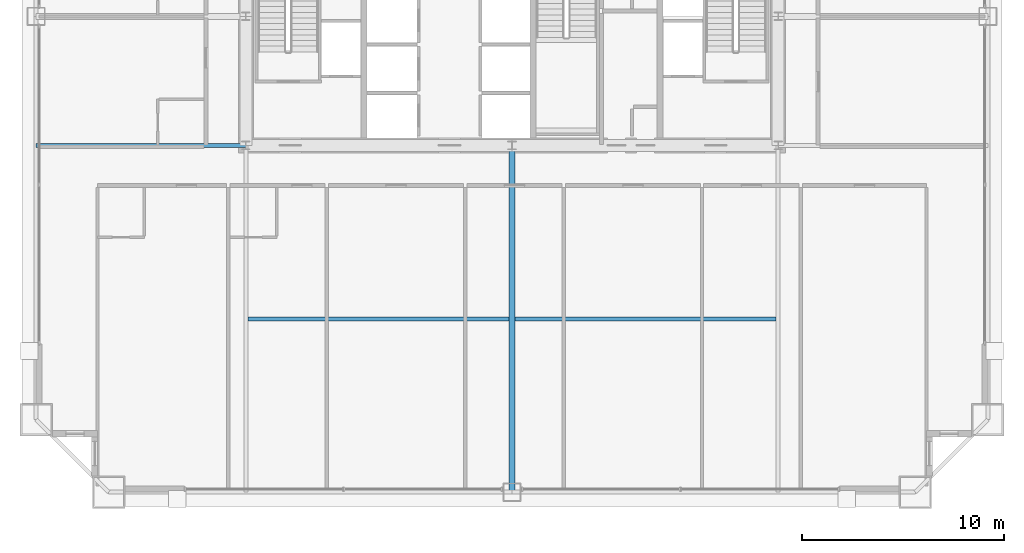
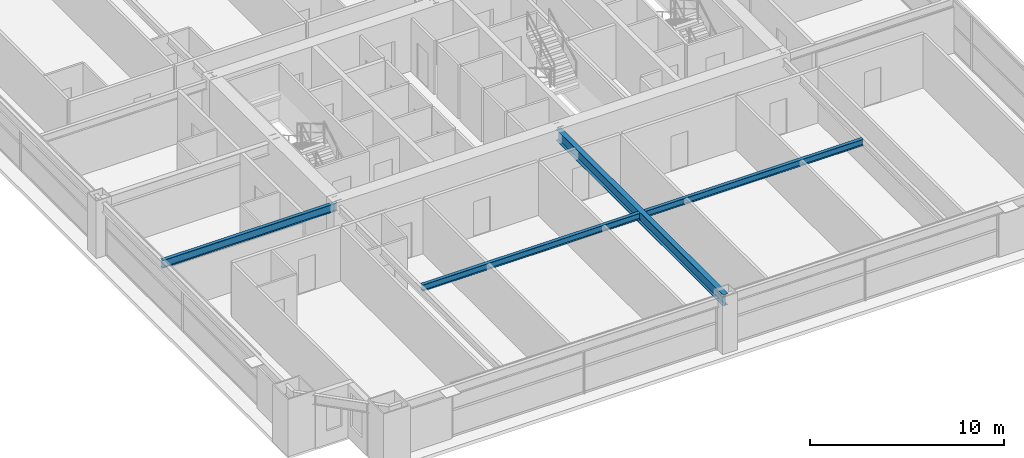
# One storey, part 11 of 39: 4 beams.
"""IFC4 building model written with IfcOpenShell, lengths in metres."""

from ifc_helpers import new_model, si_unit, direction, frame, origin, origin_2d, place, context, subcontext, project, spatial, i_section, extrude, source, transform, mapped, material, material_profile, profile_set, type_object, element, save


model = new_model("IFC4")

# Units and contexts
model_context = context("Model", 3, precision=1e-05, world=origin(), true_north=direction((0.0, 1.0)))
body_context = subcontext(model_context, "Body", "Model", "MODEL_VIEW")
ifc_project = project(units=[si_unit("LENGTHUNIT", "METRE"), si_unit("AREAUNIT", "SQUARE_METRE"), si_unit("VOLUMEUNIT", "CUBIC_METRE"), si_unit("PLANEANGLEUNIT", "RADIAN"), si_unit("MASSUNIT", "GRAM", prefix="KILO"), si_unit("THERMODYNAMICTEMPERATUREUNIT", "KELVIN"), si_unit("POWERUNIT", "WATT")], contexts=[model_context])

# Site, building, storey
site_placement = place(None, origin())
site = spatial("IfcSite", under=ifc_project, at=site_placement, CompositionType="ELEMENT")
building_placement = place(site_placement, origin())
building = spatial("IfcBuilding", under=site, at=building_placement, Name="Yuzanri Waterfront Tower", CompositionType="ELEMENT")
storey_placement = place(building_placement, frame((0.0, 0.0, 156.0)))
storey = spatial("IfcBuildingStorey", under=building, at=storey_placement, Name="L41", CompositionType="ELEMENT", Elevation=156.0)

# Beams
ifc_material_1 = material(Name="Steel Q355B", Category="steel")
ifc_material_profile_1 = material_profile(ifc_material_1, i_section(OverallWidth=0.199951171875, OverallDepth=0.39990234375, WebThickness=0.008056640625, FlangeThickness=0.012939453125, at=origin_2d()), Name="HN 400x200x8x13")
ifc_profile_set_1 = profile_set([ifc_material_profile_1], Name="Steel Q355B")
beam_type_1 = type_object("IfcBeamType", Name="Floor Joist Q355B HN 400x200", PredefinedType="JOIST", material=ifc_profile_set_1)
shared_shape_1 = source(origin(), body_context, "Body", "SweptSolid", [
    extrude(i_section(OverallWidth=0.199951171875, OverallDepth=0.39990234375, WebThickness=0.008056640625, FlangeThickness=0.012939453125, at=origin_2d()), origin(), (0.0, 0.0, 1.0), 12.9501953125),
])
for number, where, z_axis, x_axis, name in (
    (1, (23.89990234375, 10.800048828125, 3.179931640625), (1.0, 0.0, 0.0), (0.0, 1.0, 0.0), "L41 South Bay Joist W"),
    (2, (37.14990234375, 10.800048828125, 3.179931640625), (1.0, 0.0, 0.0), (0.0, 1.0, 0.0), "L41 South Bay Joist E"),
):
    element("IfcBeam", number, at=place(storey_placement, frame(where, z_axis=z_axis, x_axis=x_axis)), inside=storey, type_object=beam_type_1, Name=name, PredefinedType="JOIST", context=body_context, shape_type="MappedRepresentation", body=[
        mapped(shared_shape_1, transform((0.0, 0.0, 0.0), scale=1.0)),
    ])
ifc_material_2 = material(Name="Steel Q355B", Category="steel")
ifc_material_profile_2 = material_profile(ifc_material_2, i_section(OverallWidth=0.300048828125, OverallDepth=0.699951171875, WebThickness=0.012939453125, FlangeThickness=0.02392578125, at=origin_2d()), Name="HN 700x300x13x24")
ifc_profile_set_2 = profile_set([ifc_material_profile_2], Name="Steel Q355B")
beam_type_2 = type_object("IfcBeamType", Name="Primary Floor Girder Q355B HN 700x300", PredefinedType="BEAM", material=ifc_profile_set_2)
shared_shape_2 = source(origin(), body_context, "Body", "SweptSolid", [
    extrude(i_section(OverallWidth=0.300048828125, OverallDepth=0.699951171875, WebThickness=0.012939453125, FlangeThickness=0.02392578125, at=origin_2d()), origin(), (0.0, 0.0, 1.0), 17.199951171875),
])
beam_1_placement = place(storey_placement, frame((37.0, 19.39990234375, 3.030029296875), z_axis=(0.0, -1.0, 0.0), x_axis=(1.0, 0.0, 0.0)))
element("IfcBeam", 3, at=beam_1_placement, inside=storey, type_object=beam_type_2, Name="L41 South Grid Girder", PredefinedType="BEAM", context=body_context, shape_type="MappedRepresentation", body=[
    mapped(shared_shape_2, transform((0.0, 0.0, 0.0), scale=1.0)),
])
ifc_material_3 = material(Name="Steel Q355B", Category="steel")
ifc_material_profile_3 = material_profile(ifc_material_3, i_section(OverallWidth=0.199951171875, OverallDepth=0.5, WebThickness=0.010009765625, FlangeThickness=0.01611328125, at=origin_2d()), Name="HN 500x200x10x16")
ifc_profile_set_3 = profile_set([ifc_material_profile_3], Name="Steel Q355B")
beam_type_3 = type_object("IfcBeamType", Name="Secondary Floor Beam Q355B HN 500x200", PredefinedType="BEAM", material=ifc_profile_set_3)
shared_shape_3 = source(origin(), body_context, "Body", "SweptSolid", [
    extrude(i_section(OverallWidth=0.199951171875, OverallDepth=0.5, WebThickness=0.010009765625, FlangeThickness=0.01611328125, at=origin_2d()), origin(), (0.0, 0.0, 1.0), 10.400146484375),
])
beam_2_placement = place(storey_placement, frame((23.800048828125, 19.39990234375, 3.1298828125), z_axis=(-1.0, 0.0, 0.0), x_axis=(0.0, -1.0, 0.0)))
element("IfcBeam", 4, at=beam_2_placement, inside=storey, type_object=beam_type_3, Name="L41 West-South Core Line Beam", PredefinedType="BEAM", context=body_context, shape_type="MappedRepresentation", body=[
    mapped(shared_shape_3, transform((0.0, 0.0, 0.0), scale=1.0)),
])

save(model, "model.ifc")
